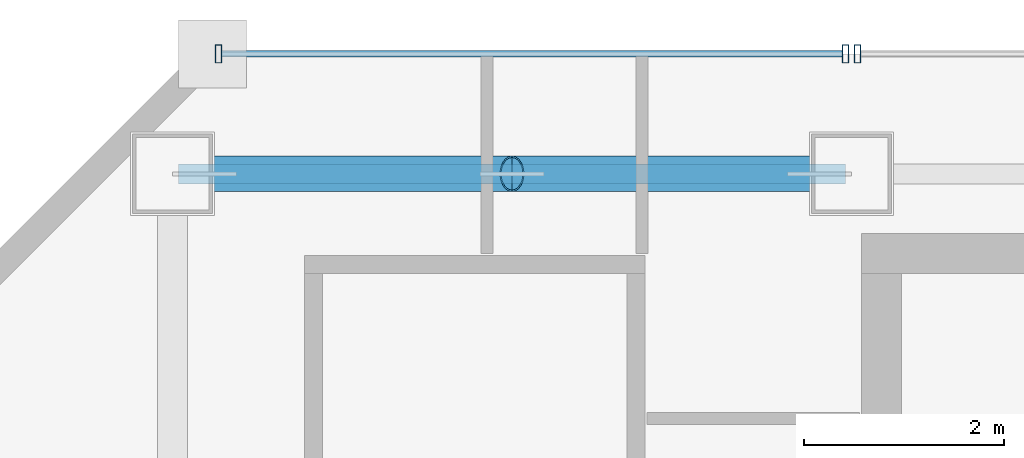
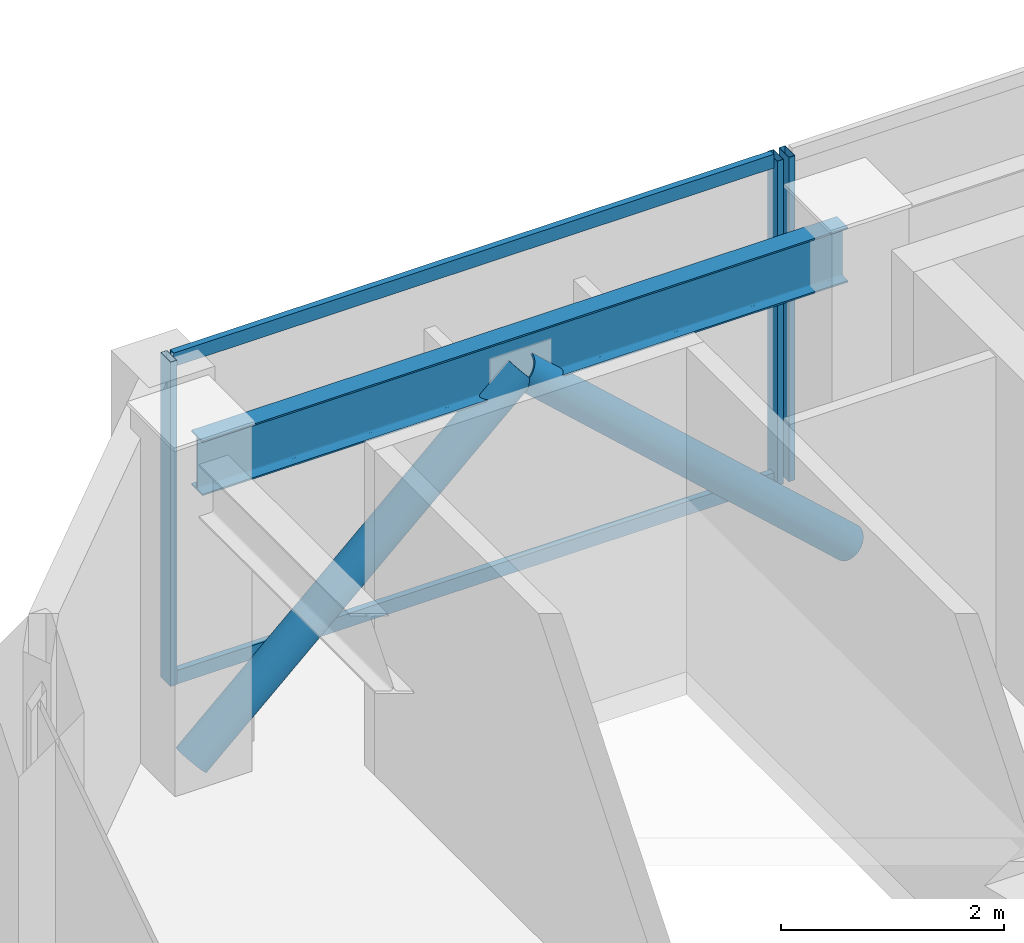
# One storey, part 20 of 32: 7 members, 1 beam, 2 elements without a shape of their own.
"""IFC4 building model written with IfcOpenShell, lengths in metres."""

from ifc_helpers import new_model, si_unit, direction, frame, origin, origin_2d, place, context, subcontext, project, spatial, hollow_rectangle, hollow_circle, i_section, extrude, material, material_profile, profile_set, type_object, element, aggregate, save


model = new_model("IFC4")

# Units and contexts
model_context = context("Model", 3, precision=1e-05, world=origin(), true_north=direction((0.0, 1.0)))
body_context = subcontext(model_context, "Body", "Model", "MODEL_VIEW")
ifc_project = project(units=[si_unit("LENGTHUNIT", "METRE"), si_unit("AREAUNIT", "SQUARE_METRE"), si_unit("VOLUMEUNIT", "CUBIC_METRE"), si_unit("PLANEANGLEUNIT", "RADIAN"), si_unit("MASSUNIT", "GRAM", prefix="KILO")], contexts=[model_context])

# Site, building, storey
site_placement = place(None, origin())
site = spatial("IfcSite", under=ifc_project, at=site_placement, CompositionType="ELEMENT")
building_placement = place(site_placement, origin())
building = spatial("IfcBuilding", under=site, at=building_placement, Name="Saevonmaru Cultural Tower", CompositionType="ELEMENT")
storey_placement = place(building_placement, frame((0.0, 0.0, 257.199951171875)))
storey = spatial("IfcBuildingStorey", under=building, at=storey_placement, Name="L60", CompositionType="ELEMENT", Elevation=257.199951171875)

# Beam
ifc_material_1 = material(Name="Steel SM355", Category="steel")
ifc_material_profile_1 = material_profile(ifc_material_1, i_section(OverallWidth=0.199951171875, OverallDepth=0.60009765625, WebThickness=0.010986328125, FlangeThickness=0.01708984375, FilletRadius=0.02197265625, at=origin_2d()), Name="H-600x200x11x17")
ifc_profile_set_1 = profile_set([ifc_material_profile_1], Name="Steel SM355")
beam_type = type_object("IfcBeamType", Name="BM-SP-H600", PredefinedType="SPANDREL", material=ifc_profile_set_1)
beam_placement = place(storey_placement, frame((6.860107421875, 54.800048828125, 3.25), z_axis=(1.0, 0.0, 0.0), x_axis=(0.0, 1.0, 0.0)))
element("IfcBeam", 1, at=beam_placement, inside=storey, type_object=beam_type, Name="L60 North Spine Girder 1", PredefinedType="SPANDREL", context=body_context, shape_type="SweptSolid", body=[
    extrude(i_section(OverallWidth=0.199951171875, OverallDepth=0.60009765625, WebThickness=0.010986328125, FlangeThickness=0.01708984375, FilletRadius=0.02197265625, at=origin_2d()), origin(), (0.0, 0.0, 1.0), 6.679931640625),
])

# Members
ifc_material_profile_2 = material_profile(ifc_material_1, hollow_circle(Radius=0.177734375, WallThickness=0.01611328125, at=origin_2d()), Name="CHS-355.6x16")
ifc_profile_set_2 = profile_set([ifc_material_profile_2], Name="Steel SM355")
member_type_1 = type_object("IfcMemberType", Name="MB-PBR-CHS356", PredefinedType="BRACE", material=ifc_profile_set_2)
member_1_placement = place(storey_placement, frame((6.800048828125, 54.800048828125, 0.02001953125), z_axis=(0.738935641579, 0.0, 0.673776014417), x_axis=(0.0, 1.0, 0.0)))
element("IfcMember", 2, at=member_1_placement, inside=storey, type_object=member_type_1, Name="L60 Perimeter Braced-Tube Diagonal WN1", PredefinedType="BRACE", context=body_context, shape_type="SweptSolid", body=[
    extrude(hollow_circle(Radius=0.177734375, WallThickness=0.01611328125, at=origin_2d()), origin(), (0.0, 0.0, 1.0), 4.60107421875),
])
member_2_placement = place(storey_placement, frame((13.60009765625, 54.800048828125, 0.02001953125), z_axis=(-0.738959728749, 0.0, 0.673749596873), x_axis=(0.0, -1.0, 0.0)))
element("IfcMember", 3, at=member_2_placement, inside=storey, type_object=member_type_1, Name="L60 Perimeter Braced-Tube Diagonal WN2", PredefinedType="BRACE", context=body_context, shape_type="SweptSolid", body=[
    extrude(hollow_circle(Radius=0.177734375, WallThickness=0.01611328125, at=origin_2d()), origin(), (0.0, 0.0, 1.0), 4.601318359375),
])

# Curtain wall, member
ifc_material_2 = material(Name="Satin Bronze Anodised Aluminium", Category="aluminium")
curtain_wall_type = type_object("IfcCurtainWallType", Name="CW-TYP-B", PredefinedType="NOTDEFINED", material=ifc_material_2)
curtain_wall_1_placement = place(storey_placement, origin())
curtain_wall_1 = element("IfcCurtainWall", 4, at=curtain_wall_1_placement, inside=storey, type_object=curtain_wall_type, Name="L60 North Spine Unitised Curtain Wall E10B", PredefinedType="NOTDEFINED")
ifc_material_profile_3 = material_profile(ifc_material_2, hollow_rectangle(XDim=0.06494140625, YDim=0.179931640625, WallThickness=0.00390625, at=origin_2d()), Name="ALU-MULL-180x65x4")
ifc_profile_set_3 = profile_set([ifc_material_profile_3], Name="Satin Bronze Anodised Aluminium")
member_type_2 = type_object("IfcMemberType", Name="ML-CW-180x65", PredefinedType="MULLION", material=ifc_profile_set_3)
member_3_placement = place(storey_placement, frame((13.659912109375, 56.0, 0.0), z_axis=(0.0, 0.0, 1.0), x_axis=(-1.0, 0.0, 0.0)))
member_3 = element("IfcMember", 5, at=member_3_placement, type_object=member_type_2, Name="CW-TW-L60-E10B mullion 4", PredefinedType="MULLION", context=body_context, shape_type="SweptSolid", body=[
    extrude(hollow_rectangle(XDim=0.06494140625, YDim=0.179931640625, WallThickness=0.00390625, at=origin_2d()), origin(), (0.0, 0.0, 1.0), 3.550048828125),
])
aggregate(curtain_wall_1, [member_3])

# Curtain wall, members
curtain_wall_2_placement = place(storey_placement, origin())
curtain_wall_2 = element("IfcCurtainWall", 6, at=curtain_wall_2_placement, inside=storey, type_object=curtain_wall_type, Name="L60 West Braced Bay Spandrel Curtain Wall E10C", PredefinedType="NOTDEFINED")
member_4_placement = place(storey_placement, frame((13.5400390625, 56.0, 0.0), z_axis=(0.0, 0.0, 1.0), x_axis=(-1.0, 0.0, 0.0)))
member_4 = element("IfcMember", 7, at=member_4_placement, type_object=member_type_2, Name="CW-TW-L60-E10C mullion 1", PredefinedType="MULLION", context=body_context, shape_type="SweptSolid", body=[
    extrude(hollow_rectangle(XDim=0.06494140625, YDim=0.179931640625, WallThickness=0.00390625, at=origin_2d()), origin(), (0.0, 0.0, 1.0), 3.550048828125),
])
member_5_placement = place(storey_placement, frame((7.260009765625, 56.0, 0.0), z_axis=(0.0, 0.0, 1.0), x_axis=(-1.0, 0.0, 0.0)))
member_5 = element("IfcMember", 8, at=member_5_placement, type_object=member_type_2, Name="CW-TW-L60-E10C mullion 2", PredefinedType="MULLION", context=body_context, shape_type="SweptSolid", body=[
    extrude(hollow_rectangle(XDim=0.06494140625, YDim=0.179931640625, WallThickness=0.00390625, at=origin_2d()), origin(), (0.0, 0.0, 1.0), 3.550048828125),
])
ifc_material_profile_4 = material_profile(ifc_material_2, hollow_rectangle(XDim=0.06494140625, YDim=0.14990234375, WallThickness=0.00390625, at=origin_2d()), Name="ALU-TRAN-150x65x4")
ifc_profile_set_4 = profile_set([ifc_material_profile_4], Name="Satin Bronze Anodised Aluminium")
member_type_3 = type_object("IfcMemberType", Name="TR-CW-150x65", PredefinedType="USERDEFINED", material=ifc_profile_set_4)
member_6_placement = place(storey_placement, frame((13.507568359375, 56.0, 0.032470703125), z_axis=(-1.0, 0.0, 0.0), x_axis=(0.0, -1.0, 0.0)))
member_6 = element("IfcMember", 9, at=member_6_placement, type_object=member_type_3, Name="CW-TW-L60-E10C transom 1.1", ObjectType="TRANSOM", PredefinedType="USERDEFINED", context=body_context, shape_type="SweptSolid", body=[
    extrude(hollow_rectangle(XDim=0.06494140625, YDim=0.14990234375, WallThickness=0.00390625, at=origin_2d()), origin(), (0.0, 0.0, 1.0), 6.215087890625),
])
member_7_placement = place(storey_placement, frame((13.507568359375, 56.0, 3.517578125), z_axis=(-1.0, 0.0, 0.0), x_axis=(0.0, -1.0, 0.0)))
member_7 = element("IfcMember", 10, at=member_7_placement, type_object=member_type_3, Name="CW-TW-L60-E10C transom 1.2", ObjectType="TRANSOM", PredefinedType="USERDEFINED", context=body_context, shape_type="SweptSolid", body=[
    extrude(hollow_rectangle(XDim=0.06494140625, YDim=0.14990234375, WallThickness=0.00390625, at=origin_2d()), origin(), (0.0, 0.0, 1.0), 6.215087890625),
])
aggregate(curtain_wall_2, [member_4, member_5, member_6, member_7])

save(model, "model.ifc")
